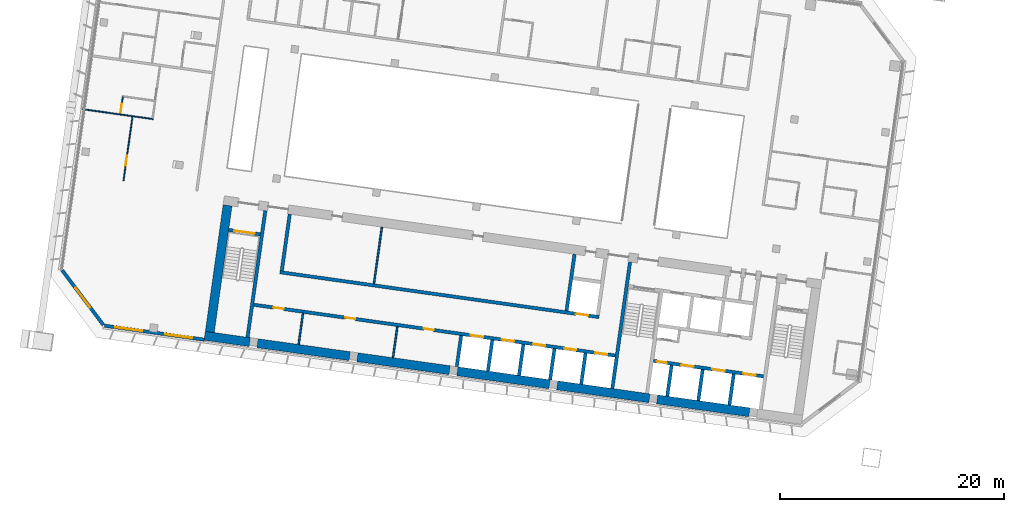
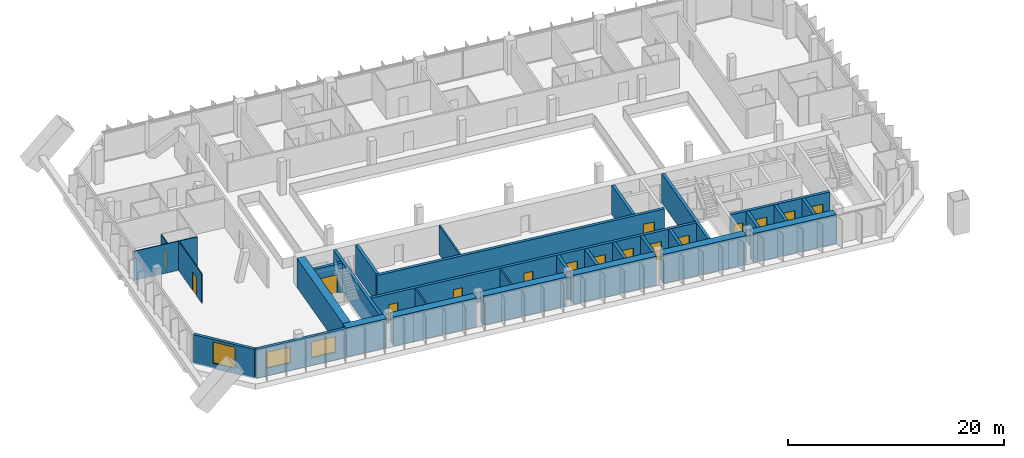
# One storey, part 18 of 34: 31 walls, 16 doors, 3 windows, 19 openings.
"""IFC4 building model written with IfcOpenShell, lengths in metres."""

from ifc_helpers import new_model, si_unit, direction, frame, frame_2d, origin, place, context, subcontext, project, spatial, rectangle, extrude, material, layer, layer_set, type_object, element, fill, save


model = new_model("IFC4")

# Units and contexts
model_context = context("Model", 3, precision=1e-05, world=origin(), true_north=direction((0.0, 1.0)))
body_context = subcontext(model_context, "Body", "Model", "MODEL_VIEW")
ifc_project = project(units=[si_unit("LENGTHUNIT", "METRE"), si_unit("AREAUNIT", "SQUARE_METRE"), si_unit("VOLUMEUNIT", "CUBIC_METRE"), si_unit("PLANEANGLEUNIT", "RADIAN"), si_unit("MASSUNIT", "GRAM", prefix="KILO")], contexts=[model_context])

# Site, building, storey
site_placement = place(None, origin())
site = spatial("IfcSite", under=ifc_project, at=site_placement, CompositionType="ELEMENT")
building_placement = place(site_placement, origin())
building = spatial("IfcBuilding", under=site, at=building_placement, Name="Mirante Cascada Hotel Towers", CompositionType="ELEMENT")
storey_placement = place(building_placement, frame((0.0, 0.0, 148.1)))
storey = spatial("IfcBuildingStorey", under=building, at=storey_placement, Name="L34", CompositionType="ELEMENT", Elevation=148.1)

# Walls
ifc_material_1 = material(Name="Masonry block", Category="masonry")
ifc_layer_1 = layer(ifc_material_1, 0.15)
ifc_layer_set_1 = layer_set([ifc_layer_1], Name="Core room partition 150 block EI 30")
wall_type_1 = type_object("IfcWallType", Name="Core room partition 150 block EI 30", PredefinedType="PARTITIONING", material=ifc_layer_set_1)
wall_1_placement = place(storey_placement, frame((-73.6152, -14.1482, 0.0), z_axis=(0.0, 0.0, 1.0), x_axis=(0.139176, 0.9902677, 0.0)))
element("IfcWall", 1, at=wall_1_placement, inside=storey, type_object=wall_type_1, Name="Core wall partition T1 L34 5", PredefinedType="PARTITIONING", context=body_context, shape_type="SweptSolid", body=[
    extrude(rectangle(XDim=2.8001, YDim=0.15, at=frame_2d((1.4, 0.0))), origin(), (0.0, 0.0, 1.0), 3.3),
])
wall_2_placement = place(storey_placement, frame((-82.0324, -12.9652, 0.0), z_axis=(0.0, 0.0, 1.0), x_axis=(0.139141, 0.9902726, 0.0)))
element("IfcWall", 2, at=wall_2_placement, inside=storey, type_object=wall_type_1, Name="Core wall partition T1 L34 6", PredefinedType="PARTITIONING", context=body_context, shape_type="SweptSolid", body=[
    extrude(rectangle(XDim=2.8, YDim=0.15, at=frame_2d((1.4, 0.0))), origin(), (0.0, 0.0, 1.0), 3.3),
])
wall_3_placement = place(storey_placement, frame((-75.3131, -7.5476, 0.0), z_axis=(0.0, 0.0, 1.0), x_axis=(0.1391782, 0.9902673, 0.0)))
element("IfcWall", 3, at=wall_3_placement, inside=storey, type_object=wall_type_1, Name="Core wall partition T1 L34 7", PredefinedType="PARTITIONING", context=body_context, shape_type="SweptSolid", body=[
    extrude(rectangle(XDim=5.0999, YDim=0.15, at=frame_2d((2.55, 0.0))), origin(), (0.0, 0.0, 1.0), 3.3),
])
ifc_material_2 = material(Name="Plasterboard on metal studs")
ifc_layer_2 = layer(ifc_material_2, 0.1)
ifc_layer_set_2 = layer_set([ifc_layer_2], Name="Partition 100")
wall_type_2 = type_object("IfcWallType", Name="Partition 100", PredefinedType="PARTITIONING", material=ifc_layer_set_2)
wall_4_placement = place(storey_placement, frame((-95.0111, 7.1367, 0.0), z_axis=(0.0, 0.0, 1.0), x_axis=(-0.990267, 0.139181, 0.0)))
element("IfcWall", 4, at=wall_4_placement, inside=storey, type_object=wall_type_2, Name="Wall 1-L34-07", PredefinedType="PARTITIONING", context=body_context, shape_type="SweptSolid", body=[
    extrude(rectangle(XDim=6.35, YDim=0.1, at=frame_2d((3.175, 0.0))), origin(), (0.0, 0.0, 1.0), 3.3),
])

# Wall, opening, door
wall_5_placement = place(storey_placement, frame((-97.6503, 1.6506, 0.0), z_axis=(0.0, 0.0, 1.0), x_axis=(0.139164, 0.9902694, 0.0)))
wall_5 = element("IfcWall", 5, at=wall_5_placement, inside=storey, type_object=wall_type_2, Name="Wall 1-L34-55", PredefinedType="PARTITIONING", context=body_context, shape_type="SweptSolid", body=[
    extrude(rectangle(XDim=5.7501, YDim=0.1, at=frame_2d((2.875, 0.0))), origin(), (0.0, 0.0, 1.0), 3.3),
])
opening_1_placement = place(wall_5_placement, frame((1.3333, 0.0, 0.0)))
opening_1 = element("IfcOpeningElement", 6, at=opening_1_placement, cuts=wall_5, Name="Opening D1-L34-33", PredefinedType="OPENING", context=body_context, shape_type="SweptSolid", body=[
    extrude(rectangle(XDim=0.9, YDim=2.1, at=frame_2d((0.45, 1.05))), frame((0.0, 0.05, 0.0), z_axis=(0.0, -1.0, 0.0), x_axis=(1.0, 0.0, 0.0)), (0.0, 0.0, 1.0), 0.1),
])
ifc_material_3 = material(Name="Timber door leaf", Category="wood")
door_type_1 = type_object("IfcDoorType", Name="Room door DG3 900x2100", OperationType="SINGLE_SWING_LEFT", PredefinedType="DOOR", material=ifc_material_3)
door_1_placement = place(opening_1_placement, frame((0.9, 0.0, 0.0), z_axis=(0.0, 0.0, 1.0), x_axis=(-1.0, 0.0, 0.0)))
door_1 = element("IfcDoor", 7, at=door_1_placement, inside=storey, type_object=door_type_1, Name="Door D1-L34-33", OperationType="SINGLE_SWING_RIGHT", OverallHeight=2.1, OverallWidth=0.9, PredefinedType="DOOR", context=body_context, shape_type="SweptSolid", body=[
    extrude(rectangle(XDim=0.9, YDim=2.1, at=frame_2d((0.45, 1.05))), frame((0.0, 0.025, 0.0), z_axis=(0.0, -1.0, 0.0), x_axis=(1.0, 0.0, 0.0)), (0.0, 0.0, 1.0), 0.05),
])
fill(opening_1, door_1)

wall_6_placement = place(storey_placement, frame((-97.712, 9.1152, 0.0), z_axis=(0.0, 0.0, 1.0), x_axis=(-0.1391749, -0.9902678, 0.0)))
wall_6 = element("IfcWall", 8, at=wall_6_placement, inside=storey, type_object=wall_type_2, Name="Wall 1-L34-56", PredefinedType="PARTITIONING", context=body_context, shape_type="SweptSolid", body=[
    extrude(rectangle(XDim=1.5333, YDim=0.1, at=frame_2d((0.7667, 0.0))), origin(), (0.0, 0.0, 1.0), 3.3),
])
opening_2_placement = place(wall_6_placement, frame((0.6333, 0.0, 0.0)))
opening_2 = element("IfcOpeningElement", 9, at=opening_2_placement, cuts=wall_6, Name="Opening D1-L34-34", PredefinedType="OPENING", context=body_context, shape_type="SweptSolid", body=[
    extrude(rectangle(XDim=0.8, YDim=2.1, at=frame_2d((0.4, 1.05))), frame((0.0, 0.05, 0.0), z_axis=(0.0, -1.0, 0.0), x_axis=(1.0, 0.0, 0.0)), (0.0, 0.0, 1.0), 0.1),
])
ifc_material_4 = material(Name="Timber door leaf", Category="wood")
door_type_2 = type_object("IfcDoorType", Name="Bathroom door DG4 800x2100", OperationType="SINGLE_SWING_LEFT", PredefinedType="DOOR", material=ifc_material_4)
door_2_placement = place(opening_2_placement, frame((0.8, 0.0, 0.0), z_axis=(0.0, 0.0, 1.0), x_axis=(-1.0, 0.0, 0.0)))
door_2 = element("IfcDoor", 10, at=door_2_placement, inside=storey, type_object=door_type_2, Name="Door D1-L34-34", OperationType="SINGLE_SWING_RIGHT", OverallHeight=2.1, OverallWidth=0.8, PredefinedType="DOOR", context=body_context, shape_type="SweptSolid", body=[
    extrude(rectangle(XDim=0.8, YDim=2.1, at=frame_2d((0.4, 1.05))), frame((0.0, 0.025, 0.0), z_axis=(0.0, -1.0, 0.0), x_axis=(1.0, 0.0, 0.0)), (0.0, 0.0, 1.0), 0.05),
])
fill(opening_2, door_2)

# Wall, openings, windows
ifc_material_5 = material(Name="Precast concrete C40/50", Category="concrete")
ifc_layer_3 = layer(ifc_material_5, 0.3)
ifc_layer_set_3 = layer_set([ifc_layer_3], Name="Precast concrete C40/50 cladding wall 300")
wall_type_3 = type_object("IfcWallType", Name="Precast concrete C40/50 cladding wall 300", PredefinedType="STANDARD", material=ifc_layer_set_3)
wall_7_placement = place(storey_placement, frame((-90.4551, -12.5388, 0.0), z_axis=(0.0, 0.0, 1.0), x_axis=(-0.9902678, 0.1391749, 0.0)))
wall_7 = element("IfcWall", 11, at=wall_7_placement, inside=storey, type_object=wall_type_3, Name="Rear cladding wall T1 L34 1", PredefinedType="STANDARD", context=body_context, shape_type="SweptSolid", body=[
    extrude(rectangle(XDim=8.9758, YDim=0.3, at=frame_2d((4.4879, 0.0))), origin(), (0.0, 0.0, 1.0), 3.3),
])
opening_3_placement = place(wall_7_placement, frame((1.1012, 0.0, 0.9)))
opening_3 = element("IfcOpeningElement", 12, at=opening_3_placement, cuts=wall_7, Name="Opening W1-34-01", PredefinedType="OPENING", context=body_context, shape_type="SweptSolid", body=[
    extrude(rectangle(XDim=2.4, YDim=1.8, at=frame_2d((1.2, 0.9))), frame((0.0, 0.15, 0.0), z_axis=(0.0, -1.0, 0.0), x_axis=(1.0, 0.0, 0.0)), (0.0, 0.0, 1.0), 0.3),
])
opening_4_placement = place(wall_7_placement, frame((5.5923, 0.0, 0.9)))
opening_4 = element("IfcOpeningElement", 13, at=opening_4_placement, cuts=wall_7, Name="Opening W1-34-02", PredefinedType="OPENING", context=body_context, shape_type="SweptSolid", body=[
    extrude(rectangle(XDim=2.4, YDim=1.8, at=frame_2d((1.2, 0.9))), frame((0.0, 0.15, 0.0), z_axis=(0.0, -1.0, 0.0), x_axis=(1.0, 0.0, 0.0)), (0.0, 0.0, 1.0), 0.3),
])
ifc_material_6 = material(Name="Aluminium frame with clear double glazing", Category="aluminium")
window_type_1 = type_object("IfcWindowType", Name="Punched window 2400x1800", PartitioningType="DOUBLE_PANEL_VERTICAL", PredefinedType="WINDOW", material=ifc_material_6)
window_1_placement = place(opening_3_placement, origin())
window_1 = element("IfcWindow", 14, at=window_1_placement, inside=storey, type_object=window_type_1, Name="Window W1-34-01", OverallHeight=1.8, OverallWidth=2.4, PartitioningType="SINGLE_PANEL", PredefinedType="WINDOW", context=body_context, shape_type="SweptSolid", body=[
    extrude(rectangle(XDim=2.4, YDim=1.8, at=frame_2d((1.2, 0.9))), frame((0.0, 0.03, 0.0), z_axis=(0.0, -1.0, 0.0), x_axis=(1.0, 0.0, 0.0)), (0.0, 0.0, 1.0), 0.06),
])
fill(opening_3, window_1)
window_2_placement = place(opening_4_placement, origin())
window_2 = element("IfcWindow", 15, at=window_2_placement, inside=storey, type_object=window_type_1, Name="Window W1-34-02", OverallHeight=1.8, OverallWidth=2.4, PartitioningType="SINGLE_PANEL", PredefinedType="WINDOW", context=body_context, shape_type="SweptSolid", body=[
    extrude(rectangle(XDim=2.4, YDim=1.8, at=frame_2d((1.2, 0.9))), frame((0.0, 0.03, 0.0), z_axis=(0.0, -1.0, 0.0), x_axis=(1.0, 0.0, 0.0)), (0.0, 0.0, 1.0), 0.06),
])
fill(opening_4, window_2)

# Wall, opening, window
wall_8_placement = place(storey_placement, frame((-99.4424, -11.2313, 0.0), z_axis=(0.0, 0.0, 1.0), x_axis=(-0.6018194, 0.7986322, 0.0)))
wall_8 = element("IfcWall", 16, at=wall_8_placement, inside=storey, type_object=wall_type_3, Name="Corner cladding wall T1 L34 rear outer", PredefinedType="STANDARD", context=body_context, shape_type="SweptSolid", body=[
    extrude(rectangle(XDim=6.1155, YDim=0.3, at=frame_2d((3.0578, 0.0))), origin(), (0.0, 0.0, 1.0), 3.3),
])
opening_5_placement = place(wall_8_placement, frame((1.9576, 0.0, 0.6)))
opening_5 = element("IfcOpeningElement", 17, at=opening_5_placement, cuts=wall_8, Name="Opening W1-34-03", PredefinedType="OPENING", context=body_context, shape_type="SweptSolid", body=[
    extrude(rectangle(XDim=2.2, YDim=2.4, at=frame_2d((1.1, 1.2))), frame((0.0, 0.15, 0.0), z_axis=(0.0, -1.0, 0.0), x_axis=(1.0, 0.0, 0.0)), (0.0, 0.0, 1.0), 0.3),
])
ifc_material_7 = material(Name="Aluminium frame with clear double glazing", Category="aluminium")
window_type_2 = type_object("IfcWindowType", Name="Corner suite window 2200x2400", PartitioningType="DOUBLE_PANEL_VERTICAL", PredefinedType="WINDOW", material=ifc_material_7)
window_3_placement = place(opening_5_placement, origin())
window_3 = element("IfcWindow", 18, at=window_3_placement, inside=storey, type_object=window_type_2, Name="Window W1-34-03", OverallHeight=2.4, OverallWidth=2.2, PartitioningType="SINGLE_PANEL", PredefinedType="WINDOW", context=body_context, shape_type="SweptSolid", body=[
    extrude(rectangle(XDim=2.2, YDim=2.4, at=frame_2d((1.1, 1.2))), frame((0.0, 0.03, 0.0), z_axis=(0.0, -1.0, 0.0), x_axis=(1.0, 0.0, 0.0)), (0.0, 0.0, 1.0), 0.06),
])
fill(opening_5, window_3)

# Walls
ifc_material_8 = material(Name="Concrete C50/60", Category="concrete")
ifc_layer_4 = layer(ifc_material_8, 0.3)
ifc_layer_set_4 = layer_set([ifc_layer_4], Name="RC core wall 300 C50/60")
wall_type_4 = type_object("IfcWallType", Name="RC core wall 300 C50/60", PredefinedType="SHEAR", material=ifc_layer_set_4)
wall_9_placement = place(storey_placement, frame((-54.0574, -16.8968, 0.0), z_axis=(0.0, 0.0, 1.0), x_axis=(0.1391761, 0.9902677, 0.0)))
element("IfcWall", 19, at=wall_9_placement, inside=storey, type_object=wall_type_4, Name="Core wall T1:L34:7", PredefinedType="SHEAR", context=body_context, shape_type="SweptSolid", body=[
    extrude(rectangle(XDim=11.3999, YDim=0.3, at=frame_2d((5.7, 0.0))), origin(), (0.0, 0.0, 1.0), 3.3),
])
wall_10_placement = place(storey_placement, frame((-86.5877, -12.325, 0.0), z_axis=(0.0, 0.0, 1.0), x_axis=(0.1391749, 0.9902678, 0.0)))
element("IfcWall", 20, at=wall_10_placement, inside=storey, type_object=wall_type_4, Name="Core wall T1:L34:8", PredefinedType="SHEAR", context=body_context, shape_type="SweptSolid", body=[
    extrude(rectangle(XDim=11.4, YDim=0.3, at=frame_2d((5.7, 0.0))), origin(), (0.0, 0.0, 1.0), 3.3),
])

# Wall, opening, door
wall_11_placement = place(storey_placement, frame((-85.4489, -3.1441, 0.0), z_axis=(0.0, 0.0, 1.0), x_axis=(-0.9902697, 0.1391613, 0.0)))
wall_11 = element("IfcWall", 21, at=wall_11_placement, inside=storey, type_object=wall_type_4, Name="Core wall T1:L34:11", PredefinedType="SHEAR", context=body_context, shape_type="SweptSolid", body=[
    extrude(rectangle(XDim=2.8499, YDim=0.3, at=frame_2d((1.425, 0.0))), origin(), (0.0, 0.0, 1.0), 3.3),
])
opening_6_placement = place(wall_11_placement, frame((0.525, 0.0, 0.0)))
opening_6 = element("IfcOpeningElement", 22, at=opening_6_placement, cuts=wall_11, Name="Opening D1-34-C17", PredefinedType="OPENING", context=body_context, shape_type="SweptSolid", body=[
    extrude(rectangle(XDim=1.8, YDim=2.1, at=frame_2d((0.9, 1.05))), frame((0.0, 0.15, 0.0), z_axis=(0.0, -1.0, 0.0), x_axis=(1.0, 0.0, 0.0)), (0.0, 0.0, 1.0), 0.3),
])
ifc_material_9 = material(Name="Hollow metal fire door leaf")
door_type_3 = type_object("IfcDoorType", Name="Double fire door 1800x2100 FD60", OperationType="DOUBLE_DOOR_SINGLE_SWING", PredefinedType="DOOR", material=ifc_material_9)
door_3_placement = place(opening_6_placement, origin())
door_3 = element("IfcDoor", 23, at=door_3_placement, inside=storey, type_object=door_type_3, Name="Stair door T1 L34 17", OperationType="DOUBLE_DOOR_SINGLE_SWING", OverallHeight=2.1, OverallWidth=1.8, PredefinedType="DOOR", context=body_context, shape_type="SweptSolid", body=[
    extrude(rectangle(XDim=0.895, YDim=2.1, at=frame_2d((0.4475, 1.05))), frame((0.0, 0.025, 0.0), z_axis=(0.0, -1.0, 0.0), x_axis=(1.0, 0.0, 0.0)), (0.0, 0.0, 1.0), 0.05),
    extrude(rectangle(XDim=0.895, YDim=2.1, at=frame_2d((1.3525, 1.05))), frame((0.0, 0.025, 0.0), z_axis=(0.0, -1.0, 0.0), x_axis=(1.0, 0.0, 0.0)), (0.0, 0.0, 1.0), 0.05),
])
fill(opening_6, door_3)

# Wall, openings, doors
wall_12_placement = place(storey_placement, frame((-40.5753, -15.8126, 0.0), z_axis=(0.0, 0.0, 1.0), x_axis=(-0.9902682, 0.1391725, 0.0)))
wall_12 = element("IfcWall", 24, at=wall_12_placement, inside=storey, type_object=wall_type_4, Name="Core wall T1:L34:12", PredefinedType="SHEAR", context=body_context, shape_type="SweptSolid", body=[
    extrude(rectangle(XDim=9.8999, YDim=0.3, at=frame_2d((4.95, 0.0))), origin(), (0.0, 0.0, 1.0), 3.3),
])
opening_7_placement = place(wall_12_placement, frame((0.7, 0.0, 0.0)))
opening_7 = element("IfcOpeningElement", 25, at=opening_7_placement, cuts=wall_12, Name="Opening LD", PredefinedType="OPENING", context=body_context, shape_type="SweptSolid", body=[
    extrude(rectangle(XDim=1.1, YDim=2.1, at=frame_2d((0.55, 1.05))), frame((0.0, 0.15, 0.0), z_axis=(0.0, -1.0, 0.0), x_axis=(1.0, 0.0, 0.0)), (0.0, 0.0, 1.0), 0.3),
])
opening_8_placement = place(wall_12_placement, frame((3.5, 0.0, 0.0)))
opening_8 = element("IfcOpeningElement", 26, at=opening_8_placement, cuts=wall_12, Name="Opening LD", PredefinedType="OPENING", context=body_context, shape_type="SweptSolid", body=[
    extrude(rectangle(XDim=1.1, YDim=2.1, at=frame_2d((0.55, 1.05))), frame((0.0, 0.15, 0.0), z_axis=(0.0, -1.0, 0.0), x_axis=(1.0, 0.0, 0.0)), (0.0, 0.0, 1.0), 0.3),
])
opening_9_placement = place(wall_12_placement, frame((6.3, 0.0, 0.0)))
opening_9 = element("IfcOpeningElement", 27, at=opening_9_placement, cuts=wall_12, Name="Opening LD", PredefinedType="OPENING", context=body_context, shape_type="SweptSolid", body=[
    extrude(rectangle(XDim=1.1, YDim=2.1, at=frame_2d((0.55, 1.05))), frame((0.0, 0.15, 0.0), z_axis=(0.0, -1.0, 0.0), x_axis=(1.0, 0.0, 0.0)), (0.0, 0.0, 1.0), 0.3),
])
opening_10_placement = place(wall_12_placement, frame((8.7, 0.0, 0.0)))
opening_10 = element("IfcOpeningElement", 28, at=opening_10_placement, cuts=wall_12, Name="Opening D1-34-C22", PredefinedType="OPENING", context=body_context, shape_type="SweptSolid", body=[
    extrude(rectangle(XDim=0.9, YDim=2.1, at=frame_2d((0.45, 1.05))), frame((0.0, 0.15, 0.0), z_axis=(0.0, -1.0, 0.0), x_axis=(1.0, 0.0, 0.0)), (0.0, 0.0, 1.0), 0.3),
])
ifc_material_10 = material(Name="Hollow metal fire door leaf")
door_type_4 = type_object("IfcDoorType", Name="Fire door 900x2100 FD60", OperationType="NOTDEFINED", PredefinedType="DOOR", material=ifc_material_10)
door_4_placement = place(opening_10_placement, origin())
door_4 = element("IfcDoor", 29, at=door_4_placement, inside=storey, type_object=door_type_4, Name="Riser door T1 L34 22", OperationType="SINGLE_SWING_LEFT", OverallHeight=2.1, OverallWidth=0.9, PredefinedType="DOOR", context=body_context, shape_type="SweptSolid", body=[
    extrude(rectangle(XDim=0.9, YDim=2.1, at=frame_2d((0.45, 1.05))), frame((0.0, 0.025, 0.0), z_axis=(0.0, -1.0, 0.0), x_axis=(1.0, 0.0, 0.0)), (0.0, 0.0, 1.0), 0.05),
])
fill(opening_10, door_4)
ifc_material_11 = material(Name="Stainless steel", Category="steel")
door_type_5 = type_object("IfcDoorType", Name="Lift landing door 1100x2100 EI 120", OperationType="DOUBLE_DOOR_SLIDING", PredefinedType="DOOR", material=ifc_material_11)
door_5_placement = place(opening_7_placement, origin())
door_5 = element("IfcDoor", 30, at=door_5_placement, inside=storey, type_object=door_type_5, Name="Lift landing door HR1-1 L34", OperationType="DOUBLE_DOOR_SLIDING", OverallHeight=2.1, OverallWidth=1.1, PredefinedType="DOOR", context=body_context, shape_type="SweptSolid", body=[
    extrude(rectangle(XDim=0.545, YDim=2.1, at=frame_2d((0.2725, 1.05))), frame((0.0, 0.025, 0.0), z_axis=(0.0, -1.0, 0.0), x_axis=(1.0, 0.0, 0.0)), (0.0, 0.0, 1.0), 0.05),
    extrude(rectangle(XDim=0.545, YDim=2.1, at=frame_2d((0.8275, 1.05))), frame((0.0, 0.025, 0.0), z_axis=(0.0, -1.0, 0.0), x_axis=(1.0, 0.0, 0.0)), (0.0, 0.0, 1.0), 0.05),
])
fill(opening_7, door_5)
door_6_placement = place(opening_8_placement, origin())
door_6 = element("IfcDoor", 31, at=door_6_placement, inside=storey, type_object=door_type_5, Name="Lift landing door HR1-2 L34", OperationType="DOUBLE_DOOR_SLIDING", OverallHeight=2.1, OverallWidth=1.1, PredefinedType="DOOR", context=body_context, shape_type="SweptSolid", body=[
    extrude(rectangle(XDim=0.545, YDim=2.1, at=frame_2d((0.2725, 1.05))), frame((0.0, 0.025, 0.0), z_axis=(0.0, -1.0, 0.0), x_axis=(1.0, 0.0, 0.0)), (0.0, 0.0, 1.0), 0.05),
    extrude(rectangle(XDim=0.545, YDim=2.1, at=frame_2d((0.8275, 1.05))), frame((0.0, 0.025, 0.0), z_axis=(0.0, -1.0, 0.0), x_axis=(1.0, 0.0, 0.0)), (0.0, 0.0, 1.0), 0.05),
])
fill(opening_8, door_6)
door_7_placement = place(opening_9_placement, origin())
door_7 = element("IfcDoor", 32, at=door_7_placement, inside=storey, type_object=door_type_5, Name="Lift landing door HR1-3 L34", OperationType="DOUBLE_DOOR_SLIDING", OverallHeight=2.1, OverallWidth=1.1, PredefinedType="DOOR", context=body_context, shape_type="SweptSolid", body=[
    extrude(rectangle(XDim=0.545, YDim=2.1, at=frame_2d((0.2725, 1.05))), frame((0.0, 0.025, 0.0), z_axis=(0.0, -1.0, 0.0), x_axis=(1.0, 0.0, 0.0)), (0.0, 0.0, 1.0), 0.05),
    extrude(rectangle(XDim=0.545, YDim=2.1, at=frame_2d((0.8275, 1.05))), frame((0.0, 0.025, 0.0), z_axis=(0.0, -1.0, 0.0), x_axis=(1.0, 0.0, 0.0)), (0.0, 0.0, 1.0), 0.05),
])
fill(opening_9, door_7)

# Walls
wall_13_placement = place(storey_placement, frame((-43.61, -18.3651, 0.0), z_axis=(0.0, 0.0, 1.0), x_axis=(0.1391459, 0.9902719, 0.0)))
element("IfcWall", 33, at=wall_13_placement, inside=storey, type_object=wall_type_4, Name="Core wall T1:L34:15", PredefinedType="SHEAR", context=body_context, shape_type="SweptSolid", body=[
    extrude(rectangle(XDim=2.7999, YDim=0.3, at=frame_2d((1.4, 0.0))), origin(), (0.0, 0.0, 1.0), 3.3),
])
wall_14_placement = place(storey_placement, frame((-46.3828, -17.9754, 0.0), z_axis=(0.0, 0.0, 1.0), x_axis=(0.139181, 0.990267, 0.0)))
element("IfcWall", 34, at=wall_14_placement, inside=storey, type_object=wall_type_4, Name="Core wall T1:L34:16", PredefinedType="SHEAR", context=body_context, shape_type="SweptSolid", body=[
    extrude(rectangle(XDim=2.8, YDim=0.3, at=frame_2d((1.4, 0.0))), origin(), (0.0, 0.0, 1.0), 3.3),
])
wall_15_placement = place(storey_placement, frame((-49.1555, -17.5857, 0.0), z_axis=(0.0, 0.0, 1.0), x_axis=(0.1391459, 0.9902719, 0.0)))
element("IfcWall", 35, at=wall_15_placement, inside=storey, type_object=wall_type_4, Name="Core wall T1:L34:17", PredefinedType="SHEAR", context=body_context, shape_type="SweptSolid", body=[
    extrude(rectangle(XDim=2.7999, YDim=0.3, at=frame_2d((1.4, 0.0))), origin(), (0.0, 0.0, 1.0), 3.3),
])

# Wall, openings, doors
wall_16_placement = place(storey_placement, frame((-53.7953, -13.9547, 0.0), z_axis=(0.0, 0.0, 1.0), x_axis=(-0.990268, 0.1391733, 0.0)))
wall_16 = element("IfcWall", 36, at=wall_16_placement, inside=storey, type_object=wall_type_4, Name="Core wall T1:L34:25", PredefinedType="SHEAR", context=body_context, shape_type="SweptSolid", body=[
    extrude(rectangle(XDim=32.5501, YDim=0.3, at=frame_2d((16.275, 0.0))), origin(), (0.0, 0.0, 1.0), 3.3),
])
opening_11_placement = place(wall_16_placement, frame((0.7, 0.0, 0.0)))
opening_11 = element("IfcOpeningElement", 37, at=opening_11_placement, cuts=wall_16, Name="Opening LD", PredefinedType="OPENING", context=body_context, shape_type="SweptSolid", body=[
    extrude(rectangle(XDim=1.1, YDim=2.1, at=frame_2d((0.55, 1.05))), frame((0.0, 0.15, 0.0), z_axis=(0.0, -1.0, 0.0), x_axis=(1.0, 0.0, 0.0)), (0.0, 0.0, 1.0), 0.3),
])
opening_12_placement = place(wall_16_placement, frame((3.5, 0.0, 0.0)))
opening_12 = element("IfcOpeningElement", 38, at=opening_12_placement, cuts=wall_16, Name="Opening LD", PredefinedType="OPENING", context=body_context, shape_type="SweptSolid", body=[
    extrude(rectangle(XDim=1.1, YDim=2.1, at=frame_2d((0.55, 1.05))), frame((0.0, 0.15, 0.0), z_axis=(0.0, -1.0, 0.0), x_axis=(1.0, 0.0, 0.0)), (0.0, 0.0, 1.0), 0.3),
])
opening_13_placement = place(wall_16_placement, frame((6.3, 0.0, 0.0)))
opening_13 = element("IfcOpeningElement", 39, at=opening_13_placement, cuts=wall_16, Name="Opening LD", PredefinedType="OPENING", context=body_context, shape_type="SweptSolid", body=[
    extrude(rectangle(XDim=1.1, YDim=2.1, at=frame_2d((0.55, 1.05))), frame((0.0, 0.15, 0.0), z_axis=(0.0, -1.0, 0.0), x_axis=(1.0, 0.0, 0.0)), (0.0, 0.0, 1.0), 0.3),
])
opening_14_placement = place(wall_16_placement, frame((9.1, 0.0, 0.0)))
opening_14 = element("IfcOpeningElement", 40, at=opening_14_placement, cuts=wall_16, Name="Opening LD", PredefinedType="OPENING", context=body_context, shape_type="SweptSolid", body=[
    extrude(rectangle(XDim=1.1, YDim=2.1, at=frame_2d((0.55, 1.05))), frame((0.0, 0.15, 0.0), z_axis=(0.0, -1.0, 0.0), x_axis=(1.0, 0.0, 0.0)), (0.0, 0.0, 1.0), 0.3),
])
opening_15_placement = place(wall_16_placement, frame((11.9, 0.0, 0.0)))
opening_15 = element("IfcOpeningElement", 41, at=opening_15_placement, cuts=wall_16, Name="Opening LD", PredefinedType="OPENING", context=body_context, shape_type="SweptSolid", body=[
    extrude(rectangle(XDim=1.1, YDim=2.1, at=frame_2d((0.55, 1.05))), frame((0.0, 0.15, 0.0), z_axis=(0.0, -1.0, 0.0), x_axis=(1.0, 0.0, 0.0)), (0.0, 0.0, 1.0), 0.3),
])
opening_16_placement = place(wall_16_placement, frame((16.35, 0.0, 0.0)))
opening_16 = element("IfcOpeningElement", 42, at=opening_16_placement, cuts=wall_16, Name="Opening D1-34-C26", PredefinedType="OPENING", context=body_context, shape_type="SweptSolid", body=[
    extrude(rectangle(XDim=0.9, YDim=2.1, at=frame_2d((0.45, 1.05))), frame((0.0, 0.15, 0.0), z_axis=(0.0, -1.0, 0.0), x_axis=(1.0, 0.0, 0.0)), (0.0, 0.0, 1.0), 0.3),
])
opening_17_placement = place(wall_16_placement, frame((23.4, 0.0, 0.0)))
opening_17 = element("IfcOpeningElement", 43, at=opening_17_placement, cuts=wall_16, Name="Opening D1-34-C27", PredefinedType="OPENING", context=body_context, shape_type="SweptSolid", body=[
    extrude(rectangle(XDim=0.9, YDim=2.1, at=frame_2d((0.45, 1.05))), frame((0.0, 0.15, 0.0), z_axis=(0.0, -1.0, 0.0), x_axis=(1.0, 0.0, 0.0)), (0.0, 0.0, 1.0), 0.3),
])
opening_18_placement = place(wall_16_placement, frame((29.875, 0.0, 0.0)))
opening_18 = element("IfcOpeningElement", 44, at=opening_18_placement, cuts=wall_16, Name="Opening D1-34-C28", PredefinedType="OPENING", context=body_context, shape_type="SweptSolid", body=[
    extrude(rectangle(XDim=0.9, YDim=2.1, at=frame_2d((0.45, 1.05))), frame((0.0, 0.15, 0.0), z_axis=(0.0, -1.0, 0.0), x_axis=(1.0, 0.0, 0.0)), (0.0, 0.0, 1.0), 0.3),
])
door_8_placement = place(opening_16_placement, origin())
door_8 = element("IfcDoor", 45, at=door_8_placement, inside=storey, type_object=door_type_4, Name="Room door T1 L34 26", OperationType="SINGLE_SWING_RIGHT", OverallHeight=2.1, OverallWidth=0.9, PredefinedType="DOOR", context=body_context, shape_type="SweptSolid", body=[
    extrude(rectangle(XDim=0.9, YDim=2.1, at=frame_2d((0.45, 1.05))), frame((0.0, 0.025, 0.0), z_axis=(0.0, -1.0, 0.0), x_axis=(1.0, 0.0, 0.0)), (0.0, 0.0, 1.0), 0.05),
])
fill(opening_16, door_8)
door_9_placement = place(opening_17_placement, origin())
door_9 = element("IfcDoor", 46, at=door_9_placement, inside=storey, type_object=door_type_4, Name="Room door T1 L34 27", OperationType="SINGLE_SWING_LEFT", OverallHeight=2.1, OverallWidth=0.9, PredefinedType="DOOR", context=body_context, shape_type="SweptSolid", body=[
    extrude(rectangle(XDim=0.9, YDim=2.1, at=frame_2d((0.45, 1.05))), frame((0.0, 0.025, 0.0), z_axis=(0.0, -1.0, 0.0), x_axis=(1.0, 0.0, 0.0)), (0.0, 0.0, 1.0), 0.05),
])
fill(opening_17, door_9)
door_10_placement = place(opening_18_placement, origin())
door_10 = element("IfcDoor", 47, at=door_10_placement, inside=storey, type_object=door_type_4, Name="Room door T1 L34 28", OperationType="SINGLE_SWING_LEFT", OverallHeight=2.1, OverallWidth=0.9, PredefinedType="DOOR", context=body_context, shape_type="SweptSolid", body=[
    extrude(rectangle(XDim=0.9, YDim=2.1, at=frame_2d((0.45, 1.05))), frame((0.0, 0.025, 0.0), z_axis=(0.0, -1.0, 0.0), x_axis=(1.0, 0.0, 0.0)), (0.0, 0.0, 1.0), 0.05),
])
fill(opening_18, door_10)
door_11_placement = place(opening_11_placement, origin())
door_11 = element("IfcDoor", 48, at=door_11_placement, inside=storey, type_object=door_type_5, Name="Lift landing door LR1-1 L34", OperationType="DOUBLE_DOOR_SLIDING", OverallHeight=2.1, OverallWidth=1.1, PredefinedType="DOOR", context=body_context, shape_type="SweptSolid", body=[
    extrude(rectangle(XDim=0.545, YDim=2.1, at=frame_2d((0.2725, 1.05))), frame((0.0, 0.025, 0.0), z_axis=(0.0, -1.0, 0.0), x_axis=(1.0, 0.0, 0.0)), (0.0, 0.0, 1.0), 0.05),
    extrude(rectangle(XDim=0.545, YDim=2.1, at=frame_2d((0.8275, 1.05))), frame((0.0, 0.025, 0.0), z_axis=(0.0, -1.0, 0.0), x_axis=(1.0, 0.0, 0.0)), (0.0, 0.0, 1.0), 0.05),
])
fill(opening_11, door_11)
door_12_placement = place(opening_12_placement, origin())
door_12 = element("IfcDoor", 49, at=door_12_placement, inside=storey, type_object=door_type_5, Name="Lift landing door LR1-2 L34", OperationType="DOUBLE_DOOR_SLIDING", OverallHeight=2.1, OverallWidth=1.1, PredefinedType="DOOR", context=body_context, shape_type="SweptSolid", body=[
    extrude(rectangle(XDim=0.545, YDim=2.1, at=frame_2d((0.2725, 1.05))), frame((0.0, 0.025, 0.0), z_axis=(0.0, -1.0, 0.0), x_axis=(1.0, 0.0, 0.0)), (0.0, 0.0, 1.0), 0.05),
    extrude(rectangle(XDim=0.545, YDim=2.1, at=frame_2d((0.8275, 1.05))), frame((0.0, 0.025, 0.0), z_axis=(0.0, -1.0, 0.0), x_axis=(1.0, 0.0, 0.0)), (0.0, 0.0, 1.0), 0.05),
])
fill(opening_12, door_12)
door_13_placement = place(opening_13_placement, origin())
door_13 = element("IfcDoor", 50, at=door_13_placement, inside=storey, type_object=door_type_5, Name="Lift landing door SV1-1 L34", OperationType="DOUBLE_DOOR_SLIDING", OverallHeight=2.1, OverallWidth=1.1, PredefinedType="DOOR", context=body_context, shape_type="SweptSolid", body=[
    extrude(rectangle(XDim=0.545, YDim=2.1, at=frame_2d((0.2725, 1.05))), frame((0.0, 0.025, 0.0), z_axis=(0.0, -1.0, 0.0), x_axis=(1.0, 0.0, 0.0)), (0.0, 0.0, 1.0), 0.05),
    extrude(rectangle(XDim=0.545, YDim=2.1, at=frame_2d((0.8275, 1.05))), frame((0.0, 0.025, 0.0), z_axis=(0.0, -1.0, 0.0), x_axis=(1.0, 0.0, 0.0)), (0.0, 0.0, 1.0), 0.05),
])
fill(opening_13, door_13)
door_14_placement = place(opening_14_placement, origin())
door_14 = element("IfcDoor", 51, at=door_14_placement, inside=storey, type_object=door_type_5, Name="Lift landing door SV1-2 L34", OperationType="DOUBLE_DOOR_SLIDING", OverallHeight=2.1, OverallWidth=1.1, PredefinedType="DOOR", context=body_context, shape_type="SweptSolid", body=[
    extrude(rectangle(XDim=0.545, YDim=2.1, at=frame_2d((0.2725, 1.05))), frame((0.0, 0.025, 0.0), z_axis=(0.0, -1.0, 0.0), x_axis=(1.0, 0.0, 0.0)), (0.0, 0.0, 1.0), 0.05),
    extrude(rectangle(XDim=0.545, YDim=2.1, at=frame_2d((0.8275, 1.05))), frame((0.0, 0.025, 0.0), z_axis=(0.0, -1.0, 0.0), x_axis=(1.0, 0.0, 0.0)), (0.0, 0.0, 1.0), 0.05),
])
fill(opening_14, door_14)
door_15_placement = place(opening_15_placement, origin())
door_15 = element("IfcDoor", 52, at=door_15_placement, inside=storey, type_object=door_type_5, Name="Lift landing door SV1-3 L34", OperationType="DOUBLE_DOOR_SLIDING", OverallHeight=2.1, OverallWidth=1.1, PredefinedType="DOOR", context=body_context, shape_type="SweptSolid", body=[
    extrude(rectangle(XDim=0.545, YDim=2.1, at=frame_2d((0.2725, 1.05))), frame((0.0, 0.025, 0.0), z_axis=(0.0, -1.0, 0.0), x_axis=(1.0, 0.0, 0.0)), (0.0, 0.0, 1.0), 0.05),
    extrude(rectangle(XDim=0.545, YDim=2.1, at=frame_2d((0.8275, 1.05))), frame((0.0, 0.025, 0.0), z_axis=(0.0, -1.0, 0.0), x_axis=(1.0, 0.0, 0.0)), (0.0, 0.0, 1.0), 0.05),
])
fill(opening_15, door_15)

# Walls
for number, where, z_axis, x_axis, name in (
    (53, (-56.8301, -16.5072, 0.0), (0.0, 0.0, 1.0), (0.139176, 0.9902677, 0.0), "Core wall T1:L34:26"),
    (54, (-59.6029, -16.1175, 0.0), (0.0, 0.0, 1.0), (0.139176, 0.9902677, 0.0), "Core wall T1:L34:27"),
    (55, (-62.3756, -15.7278, 0.0), (0.0, 0.0, 1.0), (0.139176, 0.9902677, 0.0), "Core wall T1:L34:28"),
    (56, (-65.1484, -15.3381, 0.0), (0.0, 0.0, 1.0), (0.139176, 0.9902677, 0.0), "Core wall T1:L34:29"),
):
    element("IfcWall", number, at=place(storey_placement, frame(where, z_axis=z_axis, x_axis=x_axis)), inside=storey, type_object=wall_type_4, Name=name, PredefinedType="SHEAR", context=body_context, shape_type="SweptSolid", body=[
        extrude(rectangle(XDim=2.8001, YDim=0.3, at=frame_2d((1.4, 0.0))), origin(), (0.0, 0.0, 1.0), 3.3),
    ])
wall_17_placement = place(storey_placement, frame((-67.9211, -14.9484, 0.0), z_axis=(0.0, 0.0, 1.0), x_axis=(0.139181, 0.990267, 0.0)))
element("IfcWall", 57, at=wall_17_placement, inside=storey, type_object=wall_type_4, Name="Core wall T1:L34:30", PredefinedType="SHEAR", context=body_context, shape_type="SweptSolid", body=[
    extrude(rectangle(XDim=2.8, YDim=0.3, at=frame_2d((1.4, 0.0))), origin(), (0.0, 0.0, 1.0), 3.3),
])

# Wall, opening, door
wall_18_placement = place(storey_placement, frame((-55.2315, -10.5214, 0.0), z_axis=(0.0, 0.0, 1.0), x_axis=(-0.9902682, 0.1391722, 0.0)))
wall_18 = element("IfcWall", 58, at=wall_18_placement, inside=storey, type_object=wall_type_4, Name="Core wall T1:L34:33", PredefinedType="SHEAR", context=body_context, shape_type="SweptSolid", body=[
    extrude(rectangle(XDim=28.75, YDim=0.3, at=frame_2d((14.375, 0.0))), origin(), (0.0, 0.0, 1.0), 3.3),
])
opening_19_placement = place(wall_18_placement, frame((1.0, 0.0, 0.0)))
opening_19 = element("IfcOpeningElement", 59, at=opening_19_placement, cuts=wall_18, Name="Opening LD", PredefinedType="OPENING", context=body_context, shape_type="SweptSolid", body=[
    extrude(rectangle(XDim=1.1, YDim=2.1, at=frame_2d((0.55, 1.05))), frame((0.0, 0.15, 0.0), z_axis=(0.0, -1.0, 0.0), x_axis=(1.0, 0.0, 0.0)), (0.0, 0.0, 1.0), 0.3),
])
door_16_placement = place(opening_19_placement, origin())
door_16 = element("IfcDoor", 60, at=door_16_placement, inside=storey, type_object=door_type_5, Name="Lift landing door LR1-3 L34", OperationType="DOUBLE_DOOR_SLIDING", OverallHeight=2.1, OverallWidth=1.1, PredefinedType="DOOR", context=body_context, shape_type="SweptSolid", body=[
    extrude(rectangle(XDim=0.545, YDim=2.1, at=frame_2d((0.2725, 1.05))), frame((0.0, 0.025, 0.0), z_axis=(0.0, -1.0, 0.0), x_axis=(1.0, 0.0, 0.0)), (0.0, 0.0, 1.0), 0.05),
    extrude(rectangle(XDim=0.545, YDim=2.1, at=frame_2d((0.8275, 1.05))), frame((0.0, 0.025, 0.0), z_axis=(0.0, -1.0, 0.0), x_axis=(1.0, 0.0, 0.0)), (0.0, 0.0, 1.0), 0.05),
])
fill(opening_19, door_16)

# Walls
for number, where, z_axis, x_axis, name in (
    (61, (-83.5323, -6.3925, 0.0), (0.0, 0.0, 1.0), (0.1391755, 0.9902677, 0.0), "Core wall T1:L34:35"),
    (62, (-58.1319, -9.9623, 0.0), (0.0, 0.0, 1.0), (0.1391755, 0.9902677, 0.0), "Core wall T1:L34:36"),
):
    element("IfcWall", number, at=place(storey_placement, frame(where, z_axis=z_axis, x_axis=x_axis)), inside=storey, type_object=wall_type_4, Name=name, PredefinedType="SHEAR", context=body_context, shape_type="SweptSolid", body=[
        extrude(rectangle(XDim=5.1, YDim=0.3, at=frame_2d((2.55, 0.0))), origin(), (0.0, 0.0, 1.0), 3.3),
    ])
ifc_material_12 = material(Name="Concrete C50/60", Category="concrete")
ifc_layer_5 = layer(ifc_material_12, 0.8)
ifc_layer_set_5 = layer_set([ifc_layer_5], Name="RC core wall 800 C50/60")
wall_type_5 = type_object("IfcWallType", Name="RC core wall 800 C50/60", PredefinedType="SHEAR", material=ifc_layer_set_5)
for number, where, z_axis, x_axis, name in (
    (63, (-41.8337, -19.0187, 0.0), (0.0, 0.0, 1.0), (-0.9902686, 0.1391692, 0.0), "Core wall T1:L34:1.2"),
    (64, (-50.7461, -17.7661, 0.0), (0.0, 0.0, 1.0), (-0.9902686, 0.1391692, 0.0), "Core wall T1:L34:1.3"),
):
    element("IfcWall", number, at=place(storey_placement, frame(where, z_axis=z_axis, x_axis=x_axis)), inside=storey, type_object=wall_type_5, Name=name, PredefinedType="SHEAR", context=body_context, shape_type="SweptSolid", body=[
        extrude(rectangle(XDim=8.3, YDim=0.8, at=frame_2d((4.15, 0.0))), origin(), (0.0, 0.0, 1.0), 3.3),
    ])
for number, where, z_axis, x_axis, name in (
    (65, (-59.6585, -16.5136, 0.0), (0.0, 0.0, 1.0), (-0.9902672, 0.1391793, 0.0), "Core wall T1:L34:1.4"),
    (66, (-68.5709, -15.261, 0.0), (0.0, 0.0, 1.0), (-0.9902689, 0.1391675, 0.0), "Core wall T1:L34:1.5"),
):
    element("IfcWall", number, at=place(storey_placement, frame(where, z_axis=z_axis, x_axis=x_axis)), inside=storey, type_object=wall_type_5, Name=name, PredefinedType="SHEAR", context=body_context, shape_type="SweptSolid", body=[
        extrude(rectangle(XDim=8.3001, YDim=0.8, at=frame_2d((4.15, 0.0))), origin(), (0.0, 0.0, 1.0), 3.3),
    ])
wall_19_placement = place(storey_placement, frame((-77.4834, -14.0085, 0.0), z_axis=(0.0, 0.0, 1.0), x_axis=(-0.990267, 0.139181, 0.0)))
element("IfcWall", 67, at=wall_19_placement, inside=storey, type_object=wall_type_5, Name="Core wall T1:L34:1.6", PredefinedType="SHEAR", context=body_context, shape_type="SweptSolid", body=[
    extrude(rectangle(XDim=8.3, YDim=0.8, at=frame_2d((4.15, 0.0))), origin(), (0.0, 0.0, 1.0), 3.3),
])
wall_20_placement = place(storey_placement, frame((-86.3958, -12.7559, 0.0), z_axis=(0.0, 0.0, 1.0), x_axis=(-0.9902665, 0.1391845, 0.0)))
element("IfcWall", 68, at=wall_20_placement, inside=storey, type_object=wall_type_5, Name="Core wall T1:L34:1.7", PredefinedType="SHEAR", context=body_context, shape_type="SweptSolid", body=[
    extrude(rectangle(XDim=4.05, YDim=0.8, at=frame_2d((2.025, 0.0))), origin(), (0.0, 0.0, 1.0), 3.3),
])
wall_21_placement = place(storey_placement, frame((-89.9546, -11.8518, 0.0), z_axis=(0.0, 0.0, 1.0), x_axis=(0.1391761, 0.9902677, 0.0)))
element("IfcWall", 69, at=wall_21_placement, inside=storey, type_object=wall_type_5, Name="Core wall T1:L34:4", PredefinedType="SHEAR", context=body_context, shape_type="SweptSolid", body=[
    extrude(rectangle(XDim=11.3999, YDim=0.8, at=frame_2d((5.7, 0.0))), origin(), (0.0, 0.0, 1.0), 3.3),
])

save(model, "model.ifc")
